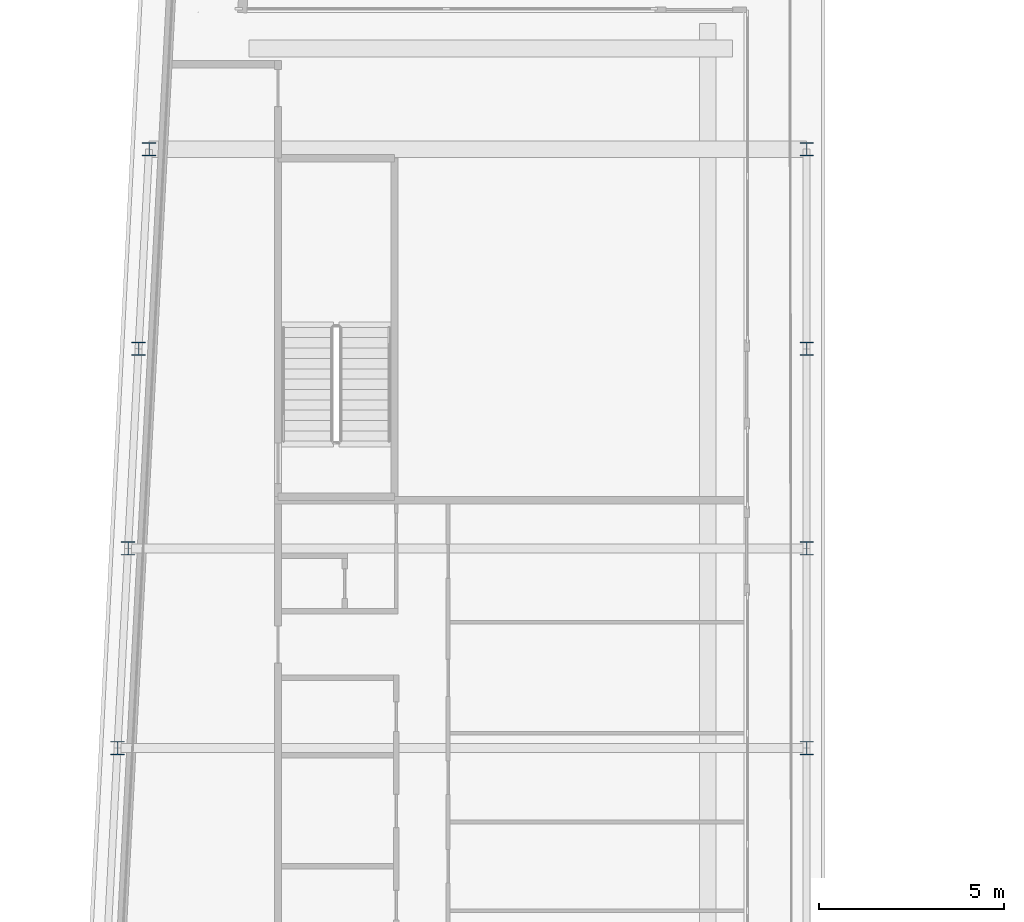
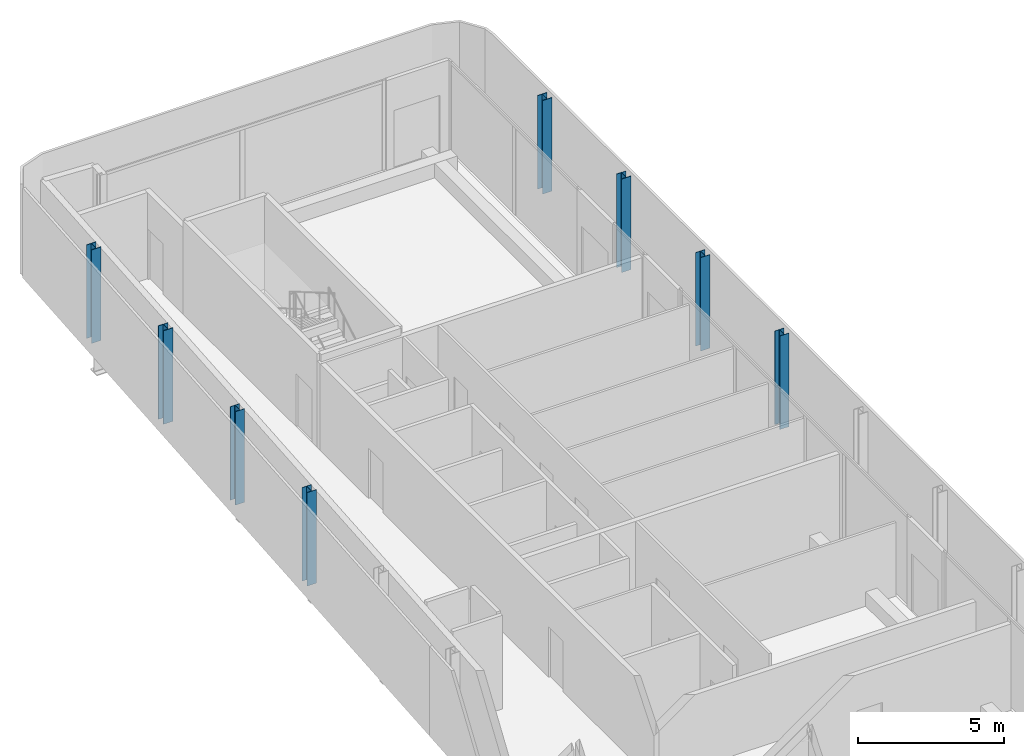
# One storey, part 3 of 19: 8 columns.
"""IFC4 building model written with IfcOpenShell, lengths in metres."""

from ifc_helpers import new_model, si_unit, direction, frame, origin, origin_2d, place, context, subcontext, project, spatial, i_section, extrude, material, material_profile, profile_set, type_object, element, save


model = new_model("IFC4")

# Units and contexts
model_context = context("Model", 3, precision=1e-05, world=origin(), true_north=direction((0.0, 1.0)))
body_context = subcontext(model_context, "Body", "Model", "MODEL_VIEW")
ifc_project = project(units=[si_unit("LENGTHUNIT", "METRE"), si_unit("AREAUNIT", "SQUARE_METRE"), si_unit("VOLUMEUNIT", "CUBIC_METRE"), si_unit("PLANEANGLEUNIT", "RADIAN"), si_unit("MASSUNIT", "GRAM", prefix="KILO")], contexts=[model_context])

# Site, building, storey
site_placement = place(None, origin())
site = spatial("IfcSite", under=ifc_project, at=site_placement, CompositionType="ELEMENT")
building_placement = place(site_placement, origin())
building = spatial("IfcBuilding", under=site, at=building_placement, Name="Kheshtan School and Residences Tower", CompositionType="ELEMENT")
storey_placement = place(building_placement, frame((0.0, 0.0, 357.800048828125)))
storey = spatial("IfcBuildingStorey", under=building, at=storey_placement, Name="L84", CompositionType="ELEMENT", Elevation=357.800048828125)

# Columns
ifc_material = material(Name="Steel ASTM A992 Grade 50", Category="steel")
ifc_material_profile = material_profile(ifc_material, i_section(OverallWidth=0.37109375, OverallDepth=0.364013671875, WebThickness=0.01318359375, FlangeThickness=0.021728515625, FilletRadius=0.010986328125, at=origin_2d()), Name="W360x162")
ifc_profile_set = profile_set([ifc_material_profile], Name="Steel ASTM A992 Grade 50")
column_type = type_object("IfcColumnType", Name="Column C6 W360x162 ASTM A992 Grade 50", PredefinedType="COLUMN", material=ifc_profile_set)
for number, where, z_axis, x_axis, name in (
    (1, (28.9580078125, 72.60009765625, 0.0), (0.0, 0.0, 1.0), (1.0, 0.0, 0.0), "Column C086"),
    (2, (47.60009765625, 72.60009765625, 0.0), (0.0, 0.0, 1.0), (1.0, 0.0, 0.0), "Column C087"),
    (3, (29.242919921875, 78.0, 0.0), (0.0, 0.0, 1.0), (1.0, 0.0, 0.0), "Column C088"),
    (4, (47.60009765625, 78.0, 0.0), (0.0, 0.0, 1.0), (1.0, 0.0, 0.0), "Column C089"),
    (5, (29.527099609375, 83.39990234375, 0.0), (0.0, 0.0, 1.0), (1.0, 0.0, 0.0), "Column C090"),
    (6, (47.60009765625, 83.39990234375, 0.0), (0.0, 0.0, 1.0), (1.0, 0.0, 0.0), "Column C091"),
    (7, (29.81103515625, 88.800048828125, 0.0), (0.0, 0.0, 1.0), (1.0, 0.0, 0.0), "Column C098"),
    (8, (47.60009765625, 88.800048828125, 0.0), (0.0, 0.0, 1.0), (1.0, 0.0, 0.0), "Column C099"),
):
    element("IfcColumn", number, at=place(storey_placement, frame(where, z_axis=z_axis, x_axis=x_axis)), inside=storey, type_object=column_type, Name=name, PredefinedType="COLUMN", context=body_context, shape_type="SweptSolid", body=[
        extrude(i_section(OverallWidth=0.37109375, OverallDepth=0.364013671875, WebThickness=0.01318359375, FlangeThickness=0.021728515625, FilletRadius=0.010986328125, at=origin_2d()), origin(), (0.0, 0.0, 1.0), 3.89990234375),
    ])

save(model, "model.ifc")
